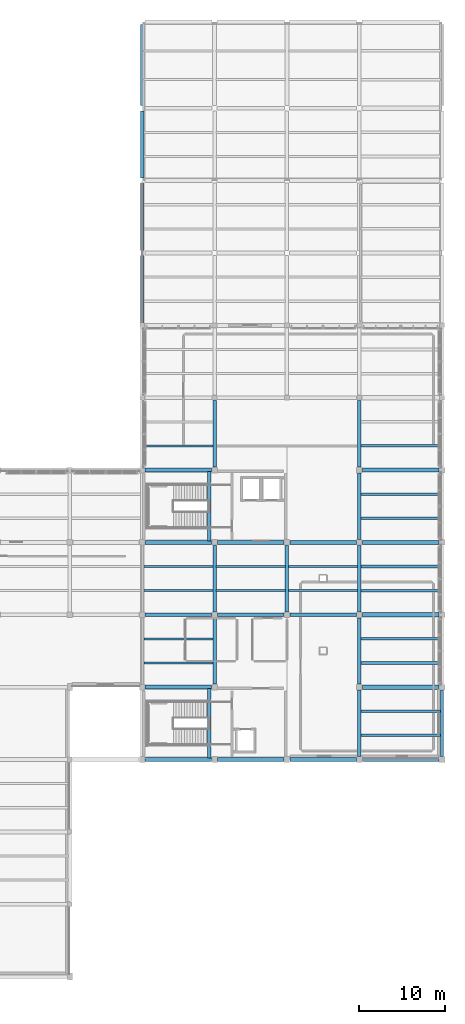
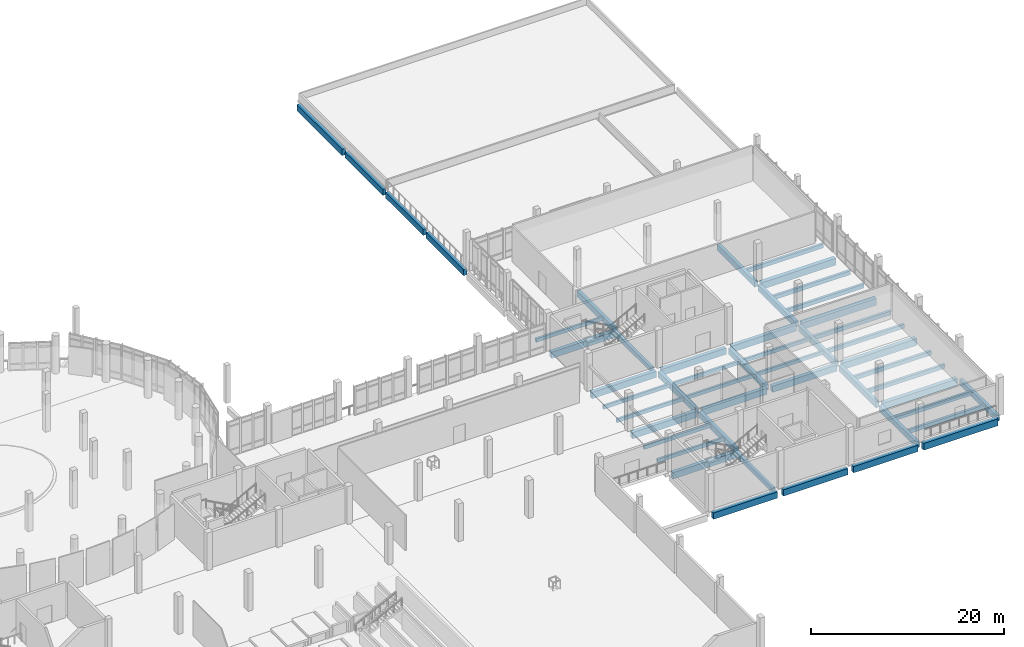
# One storey, part 20 of 63: 50 beams.
"""IFC4 building model written with IfcOpenShell, lengths in metres."""

from ifc_helpers import new_model, si_unit, derived_unit, direction, frame, origin, origin_2d, place, context, subcontext, project, spatial, rectangle, extrude, material, material_profile, profile_set, type_object, element, save


model = new_model("IFC4")

# Units and contexts
model_context = context("Model", 3, precision=1e-05, world=origin(), true_north=direction((0.0, 1.0)))
body_context = subcontext(model_context, "Body", "Model", "MODEL_VIEW")
ifc_project = project(units=[si_unit("LENGTHUNIT", "METRE"), si_unit("AREAUNIT", "SQUARE_METRE"), si_unit("VOLUMEUNIT", "CUBIC_METRE"), si_unit("PLANEANGLEUNIT", "RADIAN"), si_unit("MASSUNIT", "GRAM", prefix="KILO"), derived_unit("THERMALTRANSMITTANCEUNIT", [(si_unit("POWERUNIT", "WATT"), 1), (si_unit("LENGTHUNIT", "METRE"), -2), (si_unit("THERMODYNAMICTEMPERATUREUNIT", "KELVIN"), -1)])], contexts=[model_context])

# Site, building, storey
site_placement = place(None, origin())
site = spatial("IfcSite", under=ifc_project, at=site_placement, CompositionType="ELEMENT")
building_placement = place(site_placement, origin())
building = spatial("IfcBuilding", under=site, at=building_placement, Name="Elbkamm Science Centre", CompositionType="ELEMENT")
storey_placement = place(building_placement, frame((0.0, 0.0, 5.10009765625)))
storey = spatial("IfcBuildingStorey", under=building, at=storey_placement, Name="L01", CompositionType="ELEMENT", Elevation=5.10009765625)

# Beams
ifc_material = material(Name="Concrete C40/50", Category="concrete")
ifc_material_profile_1 = material_profile(ifc_material, rectangle(XDim=0.35009765625, YDim=0.60009765625, at=origin_2d()), Name="RC 350x600")
ifc_profile_set_1 = profile_set([ifc_material_profile_1], Name="Concrete C40/50")
beam_type_1 = type_object("IfcBeamType", Name="BM-RC-350x600", PredefinedType="BEAM", material=ifc_profile_set_1)
for number, where, z_axis, x_axis, name in (
    (1, (133.780029296875, 50.550048828125, -0.300048828125), (0.0, 1.0, 0.0), (-1.0, 0.0, 0.0), "L01 ST-C3 Landing Trimmer Beam"),
    (2, (133.780029296875, 25.35009765625, -0.300048828125), (0.0, 1.0, 0.0), (-1.0, 0.0, 0.0), "L01 ST-C4 Landing Trimmer Beam"),
):
    element("IfcBeam", number, at=place(storey_placement, frame(where, z_axis=z_axis, x_axis=x_axis)), inside=storey, type_object=beam_type_1, Name=name, PredefinedType="BEAM", context=body_context, shape_type="SweptSolid", body=[
        extrude(rectangle(XDim=0.35009765625, YDim=0.60009765625, at=origin_2d()), origin(), (0.0, 0.0, 1.0), 8.099853515625),
    ])
ifc_material_profile_2 = material_profile(ifc_material, rectangle(XDim=0.39990234375, YDim=0.75, at=origin_2d()), Name="RC 400x750")
ifc_profile_set_2 = profile_set([ifc_material_profile_2], Name="Concrete C40/50")
beam_type_2 = type_object("IfcBeamType", Name="BM-RC-400x750", PredefinedType="BEAM", material=ifc_profile_set_2)
for number, where, z_axis, x_axis, name in (
    (3, (126.0, 75.89990234375, -0.625), (0.0, 1.0, 0.0), (-1.0, 0.0, 0.0), "L01 Primary Y-Girder 047"),
    (4, (126.0, 84.300048828125, -0.625), (0.0, 1.0, 0.0), (-1.0, 0.0, 0.0), "L01 Primary Y-Girder 048"),
):
    element("IfcBeam", number, at=place(storey_placement, frame(where, z_axis=z_axis, x_axis=x_axis)), inside=storey, type_object=beam_type_2, Name=name, PredefinedType="BEAM", context=body_context, shape_type="SweptSolid", body=[
        extrude(rectangle(XDim=0.39990234375, YDim=0.75, at=origin_2d()), origin(), (0.0, 0.0, 1.0), 7.800048828125),
    ])
for number, where, z_axis, x_axis, name in (
    (5, (134.39990234375, 33.949951171875, -0.775146484375), (0.0, 1.0, 0.0), (-1.0, 0.0, 0.0), "L01 Primary Y-Girder 049"),
    (6, (134.39990234375, 42.35009765625, -0.775146484375), (0.0, 1.0, 0.0), (-1.0, 0.0, 0.0), "L01 Primary Y-Girder 050"),
):
    element("IfcBeam", number, at=place(storey_placement, frame(where, z_axis=z_axis, x_axis=x_axis)), inside=storey, type_object=beam_type_2, Name=name, PredefinedType="BEAM", context=body_context, shape_type="SweptSolid", body=[
        extrude(rectangle(XDim=0.39990234375, YDim=0.75, at=origin_2d()), origin(), (0.0, 0.0, 1.0), 7.699951171875),
    ])
beam_1_placement = place(storey_placement, frame((134.39990234375, 59.14990234375, -0.775146484375), z_axis=(0.0, 1.0, 0.0), x_axis=(-1.0, 0.0, 0.0)))
element("IfcBeam", 7, at=beam_1_placement, inside=storey, type_object=beam_type_2, Name="L01 Primary Y-Girder 051", PredefinedType="BEAM", context=body_context, shape_type="SweptSolid", body=[
    extrude(rectangle(XDim=0.39990234375, YDim=0.75, at=origin_2d()), origin(), (0.0, 0.0, 1.0), 7.75),
])
for number, where, z_axis, x_axis, name in (
    (8, (142.800048828125, 42.35009765625, -0.775146484375), (0.0, 1.0, 0.0), (-1.0, 0.0, 0.0), "L01 Primary Y-Girder 057"),
    (9, (151.199951171875, 25.550048828125, -0.775146484375), (0.0, 1.0, 0.0), (-1.0, 0.0, 0.0), "L01 Primary Y-Girder 063"),
    (10, (151.199951171875, 33.949951171875, -0.775146484375), (0.0, 1.0, 0.0), (-1.0, 0.0, 0.0), "L01 Primary Y-Girder 064"),
    (11, (151.199951171875, 42.35009765625, -0.775146484375), (0.0, 1.0, 0.0), (-1.0, 0.0, 0.0), "L01 Primary Y-Girder 065"),
    (12, (151.199951171875, 50.75, -0.775146484375), (0.0, 1.0, 0.0), (-1.0, 0.0, 0.0), "L01 Primary Y-Girder 066"),
):
    element("IfcBeam", number, at=place(storey_placement, frame(where, z_axis=z_axis, x_axis=x_axis)), inside=storey, type_object=beam_type_2, Name=name, PredefinedType="BEAM", context=body_context, shape_type="SweptSolid", body=[
        extrude(rectangle(XDim=0.39990234375, YDim=0.75, at=origin_2d()), origin(), (0.0, 0.0, 1.0), 7.699951171875),
    ])
beam_2_placement = place(storey_placement, frame((151.199951171875, 59.14990234375, -0.775146484375), z_axis=(0.0, 1.0, 0.0), x_axis=(-1.0, 0.0, 0.0)))
element("IfcBeam", 13, at=beam_2_placement, inside=storey, type_object=beam_type_2, Name="L01 Primary Y-Girder 067", PredefinedType="BEAM", context=body_context, shape_type="SweptSolid", body=[
    extrude(rectangle(XDim=0.39990234375, YDim=0.75, at=origin_2d()), origin(), (0.0, 0.0, 1.0), 7.75),
])
beam_3_placement = place(storey_placement, frame((160.800048828125, 25.550048828125, -0.775146484375), z_axis=(0.0, 1.0, 0.0), x_axis=(-1.0, 0.0, 0.0)))
element("IfcBeam", 14, at=beam_3_placement, inside=storey, type_object=beam_type_2, Name="L01 Primary Y-Girder 073", PredefinedType="BEAM", context=body_context, shape_type="SweptSolid", body=[
    extrude(rectangle(XDim=0.39990234375, YDim=0.75, at=origin_2d()), origin(), (0.0, 0.0, 1.0), 7.699951171875),
])
beam_4_placement = place(storey_placement, frame((126.0, 92.699951171875, -0.64501953125), z_axis=(0.0, 1.0, 0.0), x_axis=(-1.0, 0.0, 0.0)))
element("IfcBeam", 15, at=beam_4_placement, inside=storey, type_object=beam_type_2, Name="L01 Step-Back Primary Y-Girder 004", PredefinedType="BEAM", context=body_context, shape_type="SweptSolid", body=[
    extrude(rectangle(XDim=0.39990234375, YDim=0.75, at=origin_2d()), origin(), (0.0, 0.0, 1.0), 7.800048828125),
])
ifc_material_profile_3 = material_profile(ifc_material, rectangle(XDim=0.449951171875, YDim=0.800048828125, at=origin_2d()), Name="RC 450x800")
ifc_profile_set_3 = profile_set([ifc_material_profile_3], Name="Concrete C40/50")
beam_type_3 = type_object("IfcBeamType", Name="BM-RC-450x800", PredefinedType="BEAM", material=ifc_profile_set_3)
for number, where, z_axis, x_axis, name in (
    (16, (126.35009765625, 25.199951171875, -0.800048828125), (1.0, 0.0, 0.0), (0.0, 1.0, 0.0), "L01 Primary X-Girder 025"),
    (17, (134.75, 25.199951171875, -0.800048828125), (1.0, 0.0, 0.0), (0.0, 1.0, 0.0), "L01 Primary X-Girder 026"),
):
    element("IfcBeam", number, at=place(storey_placement, frame(where, z_axis=z_axis, x_axis=x_axis)), inside=storey, type_object=beam_type_3, Name=name, PredefinedType="BEAM", context=body_context, shape_type="SweptSolid", body=[
        extrude(rectangle(XDim=0.449951171875, YDim=0.800048828125, at=origin_2d()), origin(), (0.0, 0.0, 1.0), 7.699951171875),
    ])
beam_5_placement = place(storey_placement, frame((143.14990234375, 25.199951171875, -0.800048828125), z_axis=(1.0, 0.0, 0.0), x_axis=(0.0, 1.0, 0.0)))
element("IfcBeam", 18, at=beam_5_placement, inside=storey, type_object=beam_type_3, Name="L01 Primary X-Girder 027", PredefinedType="BEAM", context=body_context, shape_type="SweptSolid", body=[
    extrude(rectangle(XDim=0.449951171875, YDim=0.800048828125, at=origin_2d()), origin(), (0.0, 0.0, 1.0), 7.7001953125),
])
for number, where, z_axis, x_axis, name in (
    (19, (126.35009765625, 33.60009765625, -0.800048828125), (1.0, 0.0, 0.0), (0.0, 1.0, 0.0), "L01 Primary X-Girder 033"),
    (20, (126.35009765625, 42.0, -0.800048828125), (1.0, 0.0, 0.0), (0.0, 1.0, 0.0), "L01 Primary X-Girder 045"),
    (21, (134.75, 42.0, -0.800048828125), (1.0, 0.0, 0.0), (0.0, 1.0, 0.0), "L01 Primary X-Girder 046"),
):
    element("IfcBeam", number, at=place(storey_placement, frame(where, z_axis=z_axis, x_axis=x_axis)), inside=storey, type_object=beam_type_3, Name=name, PredefinedType="BEAM", context=body_context, shape_type="SweptSolid", body=[
        extrude(rectangle(XDim=0.449951171875, YDim=0.800048828125, at=origin_2d()), origin(), (0.0, 0.0, 1.0), 7.699951171875),
    ])
beam_6_placement = place(storey_placement, frame((143.14990234375, 42.0, -0.800048828125), z_axis=(1.0, 0.0, 0.0), x_axis=(0.0, 1.0, 0.0)))
element("IfcBeam", 22, at=beam_6_placement, inside=storey, type_object=beam_type_3, Name="L01 Primary X-Girder 047", PredefinedType="BEAM", context=body_context, shape_type="SweptSolid", body=[
    extrude(rectangle(XDim=0.449951171875, YDim=0.800048828125, at=origin_2d()), origin(), (0.0, 0.0, 1.0), 7.7001953125),
])
for number, where, z_axis, x_axis, name in (
    (23, (126.35009765625, 50.39990234375, -0.800048828125), (1.0, 0.0, 0.0), (0.0, 1.0, 0.0), "L01 Primary X-Girder 054"),
    (24, (134.75, 50.39990234375, -0.800048828125), (1.0, 0.0, 0.0), (0.0, 1.0, 0.0), "L01 Primary X-Girder 055"),
):
    element("IfcBeam", number, at=place(storey_placement, frame(where, z_axis=z_axis, x_axis=x_axis)), inside=storey, type_object=beam_type_3, Name=name, PredefinedType="BEAM", context=body_context, shape_type="SweptSolid", body=[
        extrude(rectangle(XDim=0.449951171875, YDim=0.800048828125, at=origin_2d()), origin(), (0.0, 0.0, 1.0), 7.699951171875),
    ])
beam_7_placement = place(storey_placement, frame((143.14990234375, 50.39990234375, -0.800048828125), z_axis=(1.0, 0.0, 0.0), x_axis=(0.0, 1.0, 0.0)))
element("IfcBeam", 25, at=beam_7_placement, inside=storey, type_object=beam_type_3, Name="L01 Primary X-Girder 056", PredefinedType="BEAM", context=body_context, shape_type="SweptSolid", body=[
    extrude(rectangle(XDim=0.449951171875, YDim=0.800048828125, at=origin_2d()), origin(), (0.0, 0.0, 1.0), 7.7001953125),
])
beam_8_placement = place(storey_placement, frame((126.35009765625, 58.800048828125, -0.800048828125), z_axis=(1.0, 0.0, 0.0), x_axis=(0.0, 1.0, 0.0)))
element("IfcBeam", 26, at=beam_8_placement, inside=storey, type_object=beam_type_3, Name="L01 Primary X-Girder 064", PredefinedType="BEAM", context=body_context, shape_type="SweptSolid", body=[
    extrude(rectangle(XDim=0.449951171875, YDim=0.800048828125, at=origin_2d()), origin(), (0.0, 0.0, 1.0), 7.699951171875),
])
beam_9_placement = place(storey_placement, frame((126.0, 101.10009765625, -0.670166015625), z_axis=(0.0, 1.0, 0.0), x_axis=(-1.0, 0.0, 0.0)))
element("IfcBeam", 27, at=beam_9_placement, inside=storey, type_object=beam_type_3, Name="L01 Step-Back Primary Y-Girder 005", PredefinedType="BEAM", context=body_context, shape_type="SweptSolid", body=[
    extrude(rectangle(XDim=0.449951171875, YDim=0.800048828125, at=origin_2d()), origin(), (0.0, 0.0, 1.0), 9.39990234375),
])
ifc_material_profile_4 = material_profile(ifc_material, rectangle(XDim=0.5, YDim=0.85009765625, at=origin_2d()), Name="RC 500x850")
ifc_profile_set_4 = profile_set([ifc_material_profile_4], Name="Concrete C40/50")
beam_type_4 = type_object("IfcBeamType", Name="BM-RC-500x850", PredefinedType="BEAM", material=ifc_profile_set_4)
for number, where, z_axis, x_axis, name in (
    (28, (151.550048828125, 25.199951171875, -0.8251953125), (1.0, 0.0, 0.0), (0.0, 1.0, 0.0), "L01 Primary X-Girder 028"),
    (29, (151.550048828125, 33.60009765625, -0.8251953125), (1.0, 0.0, 0.0), (0.0, 1.0, 0.0), "L01 Primary X-Girder 034"),
    (30, (151.550048828125, 42.0, -0.8251953125), (1.0, 0.0, 0.0), (0.0, 1.0, 0.0), "L01 Primary X-Girder 048"),
    (31, (151.550048828125, 50.39990234375, -0.8251953125), (1.0, 0.0, 0.0), (0.0, 1.0, 0.0), "L01 Primary X-Girder 057"),
    (32, (151.550048828125, 58.800048828125, -0.8251953125), (1.0, 0.0, 0.0), (0.0, 1.0, 0.0), "L01 Primary X-Girder 065"),
):
    element("IfcBeam", number, at=place(storey_placement, frame(where, z_axis=z_axis, x_axis=x_axis)), inside=storey, type_object=beam_type_4, Name=name, PredefinedType="BEAM", context=body_context, shape_type="SweptSolid", body=[
        extrude(rectangle(XDim=0.5, YDim=0.85009765625, at=origin_2d()), origin(), (0.0, 0.0, 1.0), 8.89990234375),
    ])
ifc_material_profile_5 = material_profile(ifc_material, rectangle(XDim=0.25, YDim=0.449951171875, at=origin_2d()), Name="RC 250x450")
ifc_profile_set_5 = profile_set([ifc_material_profile_5], Name="Concrete C40/50")
beam_type_5 = type_object("IfcBeamType", Name="JST-RC-250x450", PredefinedType="JOIST", material=ifc_profile_set_5)
for number, where, z_axis, x_axis, name in (
    (33, (126.179931640625, 36.39990234375, -0.625), (1.0, 0.0, 0.0), (0.0, 1.0, 0.0), "L01 Secondary Floor Joist 057"),
    (34, (126.179931640625, 39.199951171875, -0.625), (1.0, 0.0, 0.0), (0.0, 1.0, 0.0), "L01 Secondary Floor Joist 058"),
    (35, (126.179931640625, 44.800048828125, -0.625), (1.0, 0.0, 0.0), (0.0, 1.0, 0.0), "L01 Secondary Floor Joist 059"),
    (36, (126.179931640625, 47.60009765625, -0.625), (1.0, 0.0, 0.0), (0.0, 1.0, 0.0), "L01 Secondary Floor Joist 060"),
    (37, (126.179931640625, 61.60009765625, -0.625), (1.0, 0.0, 0.0), (0.0, 1.0, 0.0), "L01 Secondary Floor Joist 061"),
    (38, (134.580078125, 44.800048828125, -0.625), (1.0, 0.0, 0.0), (0.0, 1.0, 0.0), "L01 Secondary Floor Joist 069"),
    (39, (134.580078125, 47.60009765625, -0.625), (1.0, 0.0, 0.0), (0.0, 1.0, 0.0), "L01 Secondary Floor Joist 070"),
    (40, (142.97998046875, 44.800048828125, -0.625), (1.0, 0.0, 0.0), (0.0, 1.0, 0.0), "L01 Secondary Floor Joist 077"),
    (41, (142.97998046875, 47.60009765625, -0.625), (1.0, 0.0, 0.0), (0.0, 1.0, 0.0), "L01 Secondary Floor Joist 078"),
):
    element("IfcBeam", number, at=place(storey_placement, frame(where, z_axis=z_axis, x_axis=x_axis)), inside=storey, type_object=beam_type_5, Name=name, PredefinedType="JOIST", context=body_context, shape_type="SweptSolid", body=[
        extrude(rectangle(XDim=0.25, YDim=0.449951171875, at=origin_2d()), origin(), (0.0, 0.0, 1.0), 8.0400390625),
    ])
ifc_material_profile_6 = material_profile(ifc_material, rectangle(XDim=0.300048828125, YDim=0.5, at=origin_2d()), Name="RC 300x500")
ifc_profile_set_6 = profile_set([ifc_material_profile_6], Name="Concrete C40/50")
beam_type_6 = type_object("IfcBeamType", Name="JST-RC-300x500", PredefinedType="JOIST", material=ifc_profile_set_6)
for number, where, z_axis, x_axis, name in (
    (42, (151.3798828125, 28.0, -0.650146484375), (1.0, 0.0, 0.0), (0.0, 1.0, 0.0), "L01 Secondary Floor Joist 085"),
    (43, (151.3798828125, 30.800048828125, -0.650146484375), (1.0, 0.0, 0.0), (0.0, 1.0, 0.0), "L01 Secondary Floor Joist 086"),
    (44, (151.3798828125, 36.39990234375, -0.650146484375), (1.0, 0.0, 0.0), (0.0, 1.0, 0.0), "L01 Secondary Floor Joist 087"),
    (45, (151.3798828125, 39.199951171875, -0.650146484375), (1.0, 0.0, 0.0), (0.0, 1.0, 0.0), "L01 Secondary Floor Joist 088"),
    (46, (151.3798828125, 44.800048828125, -0.650146484375), (1.0, 0.0, 0.0), (0.0, 1.0, 0.0), "L01 Secondary Floor Joist 089"),
    (47, (151.3798828125, 47.60009765625, -0.650146484375), (1.0, 0.0, 0.0), (0.0, 1.0, 0.0), "L01 Secondary Floor Joist 090"),
    (48, (151.3798828125, 53.199951171875, -0.650146484375), (1.0, 0.0, 0.0), (0.0, 1.0, 0.0), "L01 Secondary Floor Joist 091"),
    (49, (151.3798828125, 56.0, -0.650146484375), (1.0, 0.0, 0.0), (0.0, 1.0, 0.0), "L01 Secondary Floor Joist 092"),
    (50, (151.3798828125, 61.60009765625, -0.650146484375), (1.0, 0.0, 0.0), (0.0, 1.0, 0.0), "L01 Secondary Floor Joist 093"),
):
    element("IfcBeam", number, at=place(storey_placement, frame(where, z_axis=z_axis, x_axis=x_axis)), inside=storey, type_object=beam_type_6, Name=name, PredefinedType="JOIST", context=body_context, shape_type="SweptSolid", body=[
        extrude(rectangle(XDim=0.300048828125, YDim=0.5, at=origin_2d()), origin(), (0.0, 0.0, 1.0), 9.240234375),
    ])

save(model, "model.ifc")
